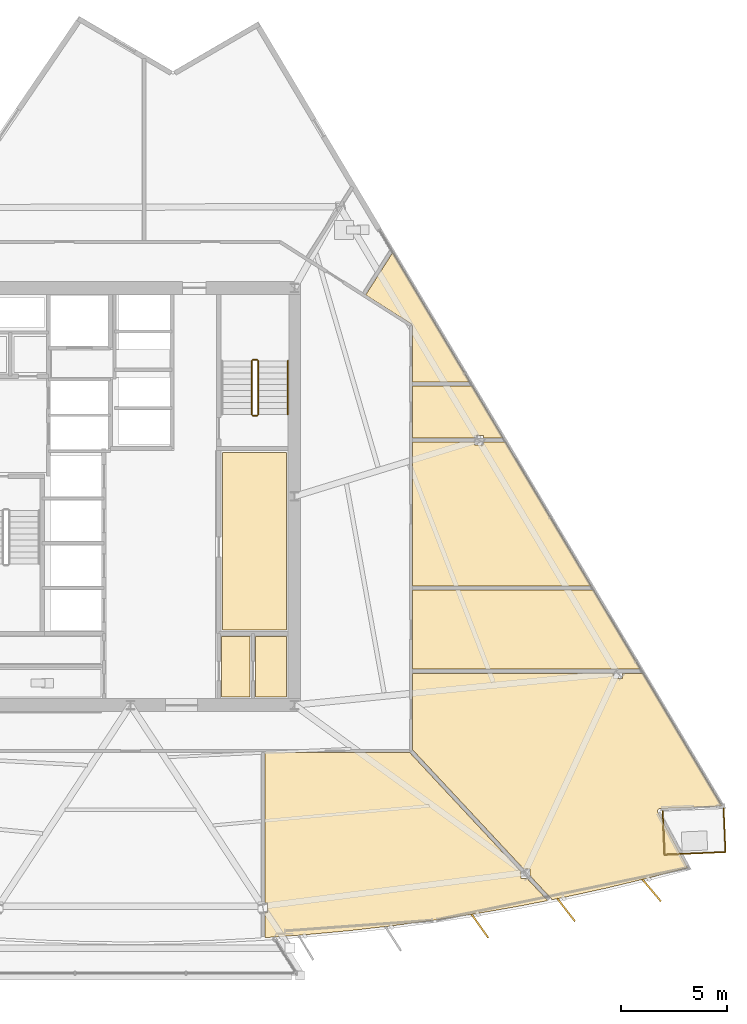
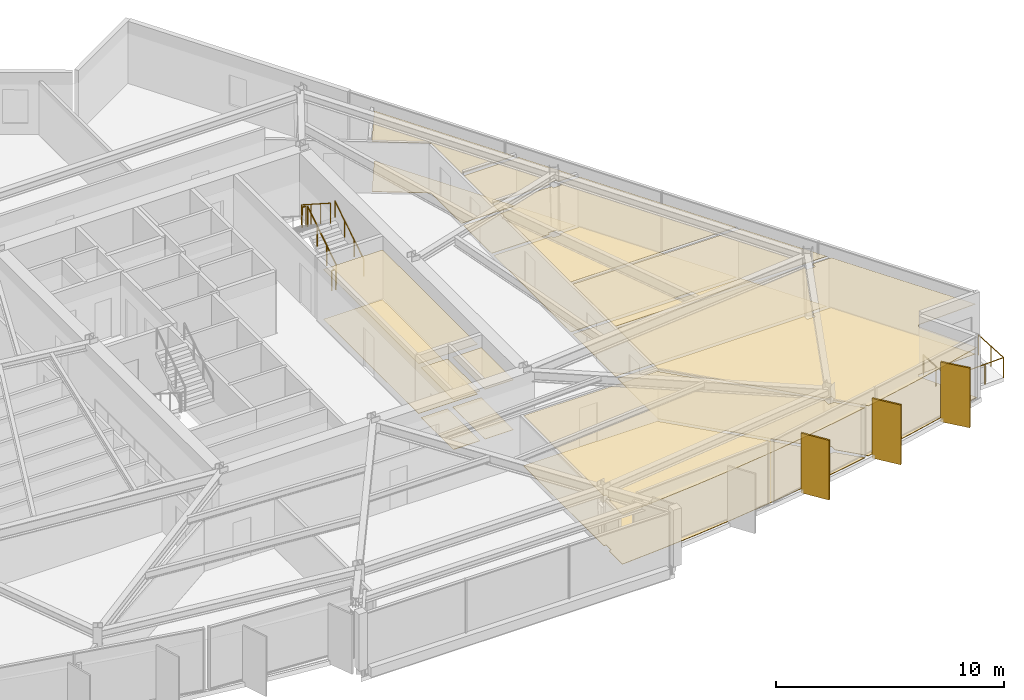
# One storey, part 13 of 15: 18 coverings, 8 railings, 3 shading devices.
"""IFC4 building model written with IfcOpenShell, lengths in metres."""

from ifc_helpers import new_model, si_unit, direction, frame, origin, origin_2d, place, context, subcontext, project, spatial, polyline, rectangle, circle, outline, extrude, material, layer, layer_set, type_object, element, save


model = new_model("IFC4")

# Units and contexts
model_context = context("Model", 3, precision=1e-05, world=origin(), true_north=direction((0.0, 1.0)))
body_context = subcontext(model_context, "Body", "Model", "MODEL_VIEW")
ifc_project = project(units=[si_unit("LENGTHUNIT", "METRE"), si_unit("AREAUNIT", "SQUARE_METRE"), si_unit("VOLUMEUNIT", "CUBIC_METRE"), si_unit("PLANEANGLEUNIT", "RADIAN"), si_unit("MASSUNIT", "GRAM", prefix="KILO")], contexts=[model_context])

# Site, building, storey
site_placement = place(None, origin())
site = spatial("IfcSite", under=ifc_project, at=site_placement, CompositionType="ELEMENT")
building_placement = place(site_placement, origin())
building = spatial("IfcBuilding", under=site, at=building_placement, Name="Savorim Split Tower", CompositionType="ELEMENT")
storey_placement = place(building_placement, frame((0.0, 0.0, 114.89990234375)))
storey = spatial("IfcBuildingStorey", under=building, at=storey_placement, Name="L30", CompositionType="ELEMENT", Elevation=114.89990234375)

# Coverings
ifc_material_1 = material(Name="Mineral Fibre Acoustic Ceiling")
ifc_layer_1 = layer(ifc_material_1, 0.02490234375)
ifc_layer_set_1 = layer_set([ifc_layer_1], Name="COV-CEIL-25")
covering_type_1 = type_object("IfcCoveringType", Name="COV-CEIL-25", PredefinedType="CEILING", material=ifc_layer_set_1)
covering_1_placement = place(storey_placement, frame((0.0, 0.0, 2.670166015625)))
element("IfcCovering", 1, at=covering_1_placement, inside=storey, type_object=covering_type_1, Name="L30 Shared Pantry and Linen Room Acoustic Ceiling", PredefinedType="CEILING", context=body_context, shape_type="SweptSolid", body=[
    extrude(outline(polyline([(4.330078125, 2.469970703125), (4.330078125, -5.8701171875), (7.320068359375, -5.8701171875), (7.320068359375, 2.469970703125), (4.330078125, 2.469970703125)])), origin(), (0.0, 0.0, 1.0), 0.02490234375),
])
covering_2_placement = place(storey_placement, frame((0.0, 0.0, 2.670166015625)))
element("IfcCovering", 2, at=covering_2_placement, inside=storey, type_object=covering_type_1, Name="L30 Vending Pantry Acoustic Ceiling", PredefinedType="CEILING", context=body_context, shape_type="SweptSolid", body=[
    extrude(outline(polyline([(4.280029296875, -6.179931640625), (4.280029296875, -9.02001953125), (5.6201171875, -9.02001953125), (5.6201171875, -6.179931640625), (4.280029296875, -6.179931640625)])), origin(), (0.0, 0.0, 1.0), 0.02490234375),
])
covering_3_placement = place(storey_placement, frame((0.0, 0.0, 2.670166015625)))
element("IfcCovering", 3, at=covering_3_placement, inside=storey, type_object=covering_type_1, Name="L30 Recycling Chute Room Acoustic Ceiling", PredefinedType="CEILING", context=body_context, shape_type="SweptSolid", body=[
    extrude(outline(polyline([(5.8798828125, -6.179931640625), (5.8798828125, -9.02001953125), (7.320068359375, -9.02001953125), (7.320068359375, -6.179931640625), (5.8798828125, -6.179931640625)])), origin(), (0.0, 0.0, 1.0), 0.02490234375),
])
covering_4_placement = place(storey_placement, frame((0.0, 0.0, 2.670166015625)))
element("IfcCovering", 4, at=covering_4_placement, inside=storey, type_object=covering_type_1, Name="L30 Maker Workshop Acoustic Ceiling", PredefinedType="CEILING", context=body_context, shape_type="SweptSolid", body=[
    extrude(outline(polyline([(12.262939453125, -19.77734375), (14.2939453125, -19.505615234375), (16.318603515625, -19.1923828125), (18.336669921875, -18.837890625), (19.60400390625, -18.58837890625), (18.637451171875, -17.5517578125), (18.35107421875, -17.5517578125), (18.35107421875, -17.24462890625), (13.12939453125, -11.6435546875), (13.10693359375, -11.61962890625), (13.10009765625, -11.6201171875), (6.31689453125, -11.6201171875), (6.31689453125, -18.700439453125), (6.434814453125, -18.700439453125), (6.434814453125, -19.136474609375), (6.31689453125, -19.136474609375), (6.31689453125, -20.286865234375), (6.31689453125, -20.330078125), (8.186767578125, -20.196044921875), (10.22705078125, -20.007568359375), (12.262939453125, -19.77734375)])), origin(), (0.0, 0.0, 1.0), 0.02490234375),
])
covering_5_placement = place(storey_placement, frame((0.0, 0.0, 2.670166015625)))
element("IfcCovering", 5, at=covering_5_placement, inside=storey, type_object=covering_type_1, Name="L30 Maker Workshop Acoustic Ceiling", PredefinedType="CEILING", context=body_context, shape_type="SweptSolid", body=[
    extrude(outline(polyline([(24.857421875, -14.2685546875), (24.86865234375, -14.2666015625), (24.880126953125, -14.265380859375), (27.78271484375, -14.141845703125), (24.07568359375, -7.90771484375), (23.122802734375, -7.90771484375), (23.122802734375, -8.155517578125), (22.69677734375, -8.155517578125), (22.69677734375, -7.90771484375), (13.239990234375, -7.90771484375), (13.239990234375, -11.47998046875), (13.23974609375, -11.4833984375), (18.49072265625, -17.11572265625), (18.777099609375, -17.11572265625), (18.777099609375, -17.4228515625), (19.742919921875, -18.458984375), (19.807861328125, -18.5283203125), (19.781005859375, -18.553466796875), (20.34716796875, -18.44189453125), (22.348876953125, -18.005126953125), (24.34130859375, -17.52734375), (26.177490234375, -17.04736328125), (24.779541015625, -14.44189453125), (24.7744140625, -14.431640625), (24.7705078125, -14.4208984375), (24.767578125, -14.40966796875), (24.765869140625, -14.398193359375), (24.76513671875, -14.38671875), (24.765625, -14.375), (24.76708984375, -14.36376953125), (24.769775390625, -14.352294921875), (24.7734375, -14.341552734375), (24.7783203125, -14.3310546875), (24.783935546875, -14.32080078125), (24.79052734375, -14.3115234375), (24.798095703125, -14.302734375), (24.806396484375, -14.294921875), (24.8154296875, -14.28759765625), (24.8251953125, -14.281494140625), (24.83544921875, -14.276123046875), (24.84619140625, -14.271728515625), (24.857421875, -14.2685546875)])), origin(), (0.0, 0.0, 1.0), 0.02490234375),
])
covering_6_placement = place(storey_placement, frame((0.0, 0.0, 2.670166015625)))
element("IfcCovering", 6, at=covering_6_placement, inside=storey, type_object=covering_type_1, Name="L30 Co-Living Bedroom Acoustic Ceiling", PredefinedType="CEILING", context=body_context, shape_type="SweptSolid", body=[
    extrude(outline(polyline([(23.962646484375, -7.7177734375), (21.748779296875, -3.99462890625), (13.239990234375, -3.99462890625), (13.239990234375, -7.7177734375), (23.962646484375, -7.7177734375)])), origin(), (0.0, 0.0, 1.0), 0.02490234375),
])
covering_7_placement = place(storey_placement, frame((0.0, 0.0, 2.670166015625)))
element("IfcCovering", 7, at=covering_7_placement, inside=storey, type_object=covering_type_1, Name="L30 Maker Workshop Acoustic Ceiling", PredefinedType="CEILING", context=body_context, shape_type="SweptSolid", body=[
    extrude(outline(polyline([(16.166748046875, 2.826416015625), (16.166748046875, 2.94921875), (13.239990234375, 2.94921875), (13.239990234375, -3.8046875), (21.635986328125, -3.8046875), (17.60009765625, 2.982421875), (17.60009765625, 2.94921875), (16.5927734375, 2.94921875), (16.5927734375, 2.826416015625), (16.166748046875, 2.826416015625)])), origin(), (0.0, 0.0, 1.0), 0.02490234375),
])
covering_8_placement = place(storey_placement, frame((0.0, 0.0, 2.670166015625)))
element("IfcCovering", 8, at=covering_8_placement, inside=storey, type_object=covering_type_1, Name="L30 Co-Working Commons Acoustic Ceiling", PredefinedType="CEILING", context=body_context, shape_type="SweptSolid", body=[
    extrude(outline(polyline([(16.5927734375, 3.26220703125), (16.5927734375, 3.139404296875), (17.505126953125, 3.139404296875), (17.5068359375, 3.139404296875), (16.044189453125, 5.599365234375), (13.239990234375, 5.599365234375), (13.239990234375, 3.139404296875), (16.166748046875, 3.139404296875), (16.166748046875, 3.26220703125), (16.5927734375, 3.26220703125)])), origin(), (0.0, 0.0, 1.0), 0.02490234375),
])
covering_9_placement = place(storey_placement, frame((0.0, 0.0, 2.670166015625)))
element("IfcCovering", 9, at=covering_9_placement, inside=storey, type_object=covering_type_1, Name="L30 Co-Living Bedroom Acoustic Ceiling", PredefinedType="CEILING", context=body_context, shape_type="SweptSolid", body=[
    extrude(outline(polyline([(13.2373046875, 8.427978515625), (13.2392578125, 8.4140625), (13.239990234375, 8.39990234375), (13.239990234375, 5.789306640625), (15.93115234375, 5.789306640625), (12.32080078125, 11.86083984375), (11.052978515625, 9.867919921875), (13.175048828125, 8.51806640625), (13.1865234375, 8.510009765625), (13.197265625, 8.500732421875), (13.206787109375, 8.490478515625), (13.21533203125, 8.479248046875), (13.22265625, 8.46728515625), (13.22900390625, 8.45458984375), (13.233642578125, 8.44140625), (13.2373046875, 8.427978515625)])), origin(), (0.0, 0.0, 1.0), 0.02490234375),
])
ifc_material_2 = material(Name="Porcelain Stoneware Flooring", Category="masonry")
ifc_layer_2 = layer(ifc_material_2, 0.02001953125)
ifc_layer_set_2 = layer_set([ifc_layer_2], Name="COV-FLOR-20")
covering_type_2 = type_object("IfcCoveringType", Name="COV-FLOR-20", PredefinedType="FLOORING", material=ifc_layer_set_2)
covering_10_placement = place(storey_placement, origin())
element("IfcCovering", 10, at=covering_10_placement, inside=storey, type_object=covering_type_2, Name="L30 Shared Pantry and Linen Room Porcelain Flooring", PredefinedType="FLOORING", context=body_context, shape_type="SweptSolid", body=[
    extrude(outline(polyline([(4.330078125, 2.469970703125), (4.330078125, -5.8701171875), (7.320068359375, -5.8701171875), (7.320068359375, 2.469970703125), (4.330078125, 2.469970703125)])), origin(), (0.0, 0.0, 1.0), 0.02001953125),
])
covering_11_placement = place(storey_placement, origin())
element("IfcCovering", 11, at=covering_11_placement, inside=storey, type_object=covering_type_2, Name="L30 Vending Pantry Porcelain Flooring", PredefinedType="FLOORING", context=body_context, shape_type="SweptSolid", body=[
    extrude(outline(polyline([(4.280029296875, -6.179931640625), (4.280029296875, -9.02001953125), (5.6201171875, -9.02001953125), (5.6201171875, -6.179931640625), (4.280029296875, -6.179931640625)])), origin(), (0.0, 0.0, 1.0), 0.02001953125),
])
covering_12_placement = place(storey_placement, origin())
element("IfcCovering", 12, at=covering_12_placement, inside=storey, type_object=covering_type_2, Name="L30 Recycling Chute Room Porcelain Flooring", PredefinedType="FLOORING", context=body_context, shape_type="SweptSolid", body=[
    extrude(outline(polyline([(5.8798828125, -6.179931640625), (5.8798828125, -9.02001953125), (7.320068359375, -9.02001953125), (7.320068359375, -6.179931640625), (5.8798828125, -6.179931640625)])), origin(), (0.0, 0.0, 1.0), 0.02001953125),
])
covering_13_placement = place(storey_placement, origin())
element("IfcCovering", 13, at=covering_13_placement, inside=storey, type_object=covering_type_2, Name="L30 Maker Workshop Porcelain Flooring", PredefinedType="FLOORING", context=body_context, shape_type="SweptSolid", body=[
    extrude(outline(polyline([(12.262939453125, -19.77734375), (14.2939453125, -19.505615234375), (16.318603515625, -19.1923828125), (18.336669921875, -18.837890625), (19.60400390625, -18.58837890625), (18.637451171875, -17.5517578125), (18.35107421875, -17.5517578125), (18.35107421875, -17.24462890625), (13.12939453125, -11.6435546875), (13.10693359375, -11.61962890625), (13.10009765625, -11.6201171875), (6.31689453125, -11.6201171875), (6.31689453125, -18.700439453125), (6.434814453125, -18.700439453125), (6.434814453125, -19.136474609375), (6.31689453125, -19.136474609375), (6.31689453125, -20.286865234375), (6.31689453125, -20.330078125), (8.186767578125, -20.196044921875), (10.22705078125, -20.007568359375), (12.262939453125, -19.77734375)])), origin(), (0.0, 0.0, 1.0), 0.02001953125),
])
covering_14_placement = place(storey_placement, origin())
element("IfcCovering", 14, at=covering_14_placement, inside=storey, type_object=covering_type_2, Name="L30 Maker Workshop Porcelain Flooring", PredefinedType="FLOORING", context=body_context, shape_type="SweptSolid", body=[
    extrude(outline(polyline([(24.857421875, -14.2685546875), (24.86865234375, -14.2666015625), (24.880126953125, -14.265380859375), (27.78271484375, -14.141845703125), (24.07568359375, -7.90771484375), (23.122802734375, -7.90771484375), (23.122802734375, -8.155517578125), (22.69677734375, -8.155517578125), (22.69677734375, -7.90771484375), (13.239990234375, -7.90771484375), (13.239990234375, -11.47998046875), (13.23974609375, -11.4833984375), (18.49072265625, -17.11572265625), (18.777099609375, -17.11572265625), (18.777099609375, -17.4228515625), (19.742919921875, -18.458984375), (19.807861328125, -18.5283203125), (19.781005859375, -18.553466796875), (20.34716796875, -18.44189453125), (22.348876953125, -18.005126953125), (24.34130859375, -17.52734375), (26.177490234375, -17.04736328125), (24.779541015625, -14.44189453125), (24.7744140625, -14.431640625), (24.7705078125, -14.4208984375), (24.767578125, -14.40966796875), (24.765869140625, -14.398193359375), (24.76513671875, -14.38671875), (24.765625, -14.375), (24.76708984375, -14.36376953125), (24.769775390625, -14.352294921875), (24.7734375, -14.341552734375), (24.7783203125, -14.3310546875), (24.783935546875, -14.32080078125), (24.79052734375, -14.3115234375), (24.798095703125, -14.302734375), (24.806396484375, -14.294921875), (24.8154296875, -14.28759765625), (24.8251953125, -14.281494140625), (24.83544921875, -14.276123046875), (24.84619140625, -14.271728515625), (24.857421875, -14.2685546875)])), origin(), (0.0, 0.0, 1.0), 0.02001953125),
])
covering_15_placement = place(storey_placement, origin())
element("IfcCovering", 15, at=covering_15_placement, inside=storey, type_object=covering_type_2, Name="L30 Co-Living Bedroom Porcelain Flooring", PredefinedType="FLOORING", context=body_context, shape_type="SweptSolid", body=[
    extrude(outline(polyline([(23.962646484375, -7.7177734375), (21.748779296875, -3.99462890625), (13.239990234375, -3.99462890625), (13.239990234375, -7.7177734375), (23.962646484375, -7.7177734375)])), origin(), (0.0, 0.0, 1.0), 0.02001953125),
])
covering_16_placement = place(storey_placement, origin())
element("IfcCovering", 16, at=covering_16_placement, inside=storey, type_object=covering_type_2, Name="L30 Maker Workshop Porcelain Flooring", PredefinedType="FLOORING", context=body_context, shape_type="SweptSolid", body=[
    extrude(outline(polyline([(16.166748046875, 2.826416015625), (16.166748046875, 2.94921875), (13.239990234375, 2.94921875), (13.239990234375, -3.8046875), (21.635986328125, -3.8046875), (17.60009765625, 2.982421875), (17.60009765625, 2.94921875), (16.5927734375, 2.94921875), (16.5927734375, 2.826416015625), (16.166748046875, 2.826416015625)])), origin(), (0.0, 0.0, 1.0), 0.02001953125),
])
covering_17_placement = place(storey_placement, origin())
element("IfcCovering", 17, at=covering_17_placement, inside=storey, type_object=covering_type_2, Name="L30 Co-Working Commons Porcelain Flooring", PredefinedType="FLOORING", context=body_context, shape_type="SweptSolid", body=[
    extrude(outline(polyline([(16.5927734375, 3.26220703125), (16.5927734375, 3.139404296875), (17.505126953125, 3.139404296875), (17.5068359375, 3.139404296875), (16.044189453125, 5.599365234375), (13.239990234375, 5.599365234375), (13.239990234375, 3.139404296875), (16.166748046875, 3.139404296875), (16.166748046875, 3.26220703125), (16.5927734375, 3.26220703125)])), origin(), (0.0, 0.0, 1.0), 0.02001953125),
])
covering_18_placement = place(storey_placement, origin())
element("IfcCovering", 18, at=covering_18_placement, inside=storey, type_object=covering_type_2, Name="L30 Co-Living Bedroom Porcelain Flooring", PredefinedType="FLOORING", context=body_context, shape_type="SweptSolid", body=[
    extrude(outline(polyline([(13.2373046875, 8.427978515625), (13.2392578125, 8.4140625), (13.239990234375, 8.39990234375), (13.239990234375, 5.789306640625), (15.93115234375, 5.789306640625), (12.32080078125, 11.86083984375), (11.052978515625, 9.867919921875), (13.175048828125, 8.51806640625), (13.1865234375, 8.510009765625), (13.197265625, 8.500732421875), (13.206787109375, 8.490478515625), (13.21533203125, 8.479248046875), (13.22265625, 8.46728515625), (13.22900390625, 8.45458984375), (13.233642578125, 8.44140625), (13.2373046875, 8.427978515625)])), origin(), (0.0, 0.0, 1.0), 0.02001953125),
])

# Railings
ifc_material_3 = material(Name="Galvanised Painted Steel Balustrade", Category="steel")
railing_type_1 = type_object("IfcRailingType", Name="RLG-BAL-1100", PredefinedType="BALUSTRADE", material=ifc_material_3)
railing_1_placement = place(storey_placement, frame((27.86865234375, -14.25830078125, 0.0)))
element("IfcRailing", 19, at=railing_1_placement, inside=storey, type_object=railing_type_1, Name="L30 Tree Balcony Guardrail SE-1", PredefinedType="BALUSTRADE", context=body_context, shape_type="SweptSolid", body=[
    extrude(circle(Radius=0.02392578125, at=origin_2d()), frame((0.0, 0.0, 1.076171875), z_axis=(0.042517246, -0.999095733047, 0.0), x_axis=(0.999095733047, 0.042517246, 0.0)), (0.0, 0.0, 1.0), 2.050048828125),
    extrude(circle(Radius=0.02099609375, at=origin_2d()), origin(), (0.0, 0.0, 1.0), 1.052001953125),
    extrude(circle(Radius=0.02099609375, at=origin_2d()), frame((0.04345703125, -1.02392578125, 0.0)), (0.0, 0.0, 1.0), 1.052001953125),
    extrude(circle(Radius=0.02099609375, at=origin_2d()), frame((0.087158203125, -2.048095703125, 0.0)), (0.0, 0.0, 1.0), 1.052001953125),
])
railing_2_placement = place(storey_placement, frame((27.955810546875, -16.306396484375, 0.0)))
element("IfcRailing", 20, at=railing_2_placement, inside=storey, type_object=railing_type_1, Name="L30 Tree Balcony Guardrail SE-2", PredefinedType="BALUSTRADE", context=body_context, shape_type="SweptSolid", body=[
    extrude(circle(Radius=0.02392578125, at=origin_2d()), frame((0.0, 0.0, 1.076171875), z_axis=(-0.999096225557, -0.042505671119, 0.0), x_axis=(0.042505671119, -0.999096225557, 0.0)), (0.0, 0.0, 1.0), 2.8662109375),
    extrude(circle(Radius=0.02099609375, at=origin_2d()), origin(), (0.0, 0.0, 1.0), 1.052001953125),
    extrude(circle(Radius=0.02099609375, at=origin_2d()), frame((-0.95458984375, -0.04052734375, 0.0)), (0.0, 0.0, 1.0), 1.052001953125),
    extrude(circle(Radius=0.02099609375, at=origin_2d()), frame((-1.908935546875, -0.081298828125, 0.0)), (0.0, 0.0, 1.0), 1.052001953125),
    extrude(circle(Radius=0.02099609375, at=origin_2d()), frame((-2.863525390625, -0.121826171875, 0.0)), (0.0, 0.0, 1.0), 1.052001953125),
])
railing_3_placement = place(storey_placement, frame((25.09228515625, -16.42822265625, 0.0)))
element("IfcRailing", 21, at=railing_3_placement, inside=storey, type_object=railing_type_1, Name="L30 Tree Balcony Guardrail SE-3", PredefinedType="BALUSTRADE", context=body_context, shape_type="SweptSolid", body=[
    extrude(circle(Radius=0.02392578125, at=origin_2d()), frame((0.0, 0.0, 1.076171875), z_axis=(-0.042517246, 0.999095733047, 0.0), x_axis=(-0.999095733047, -0.042517246, 0.0)), (0.0, 0.0, 1.0), 2.050048828125),
    extrude(circle(Radius=0.02099609375, at=origin_2d()), origin(), (0.0, 0.0, 1.0), 1.052001953125),
    extrude(circle(Radius=0.02099609375, at=origin_2d()), frame((-0.04345703125, 1.02392578125, 0.0)), (0.0, 0.0, 1.0), 1.052001953125),
    extrude(circle(Radius=0.02099609375, at=origin_2d()), frame((-0.087158203125, 2.048095703125, 0.0)), (0.0, 0.0, 1.0), 1.052001953125),
])
railing_type_2 = type_object("IfcRailingType", Name="RLG-HR-900", PredefinedType="HANDRAIL", material=ifc_material_3)
railing_4_placement = place(storey_placement, frame((7.39990234375, 4.25, 0.18017578125)))
element("IfcRailing", 22, at=railing_4_placement, inside=storey, type_object=railing_type_2, Name="L30 ST-2 stair handrail 1", PredefinedType="HANDRAIL", context=body_context, shape_type="SweptSolid", body=[
    extrude(circle(Radius=0.02392578125, at=origin_2d()), frame((0.0, 0.0, 0.8759765625), z_axis=(0.0, 0.841199657755, 0.540724639528), x_axis=(-1.0, 0.0, 0.0)), (0.0, 0.0, 1.0), 2.995849609375),
    extrude(circle(Radius=0.02099609375, at=origin_2d()), origin(), (0.0, 0.0, 1.0), 0.851806640625),
    extrude(circle(Radius=0.02099609375, at=origin_2d()), frame((0.0, 0.840087890625, 0.5400390625)), (0.0, 0.0, 1.0), 0.851806640625),
    extrude(circle(Radius=0.02099609375, at=origin_2d()), frame((0.0, 1.679931640625, 1.079833984375)), (0.0, 0.0, 1.0), 0.851806640625),
    extrude(circle(Radius=0.02099609375, at=origin_2d()), frame((0.0, 2.52001953125, 1.619873046875)), (0.0, 0.0, 1.0), 0.851806640625),
])
railing_type_3 = type_object("IfcRailingType", Name="RLG-STG-1100", PredefinedType="BALUSTRADE", material=ifc_material_3)
railing_5_placement = place(storey_placement, frame((6.0, 4.25, 0.18017578125)))
element("IfcRailing", 23, at=railing_5_placement, inside=storey, type_object=railing_type_3, Name="L30 ST-2 stair guard 1", PredefinedType="BALUSTRADE", context=body_context, shape_type="SweptSolid", body=[
    extrude(circle(Radius=0.02392578125, at=origin_2d()), frame((0.0, 0.0, 1.076171875), z_axis=(0.0, 0.841199657755, 0.540724639528), x_axis=(-1.0, 0.0, 0.0)), (0.0, 0.0, 1.0), 2.995849609375),
    extrude(circle(Radius=0.02099609375, at=origin_2d()), origin(), (0.0, 0.0, 1.0), 1.052001953125),
    extrude(circle(Radius=0.02099609375, at=origin_2d()), frame((0.0, 0.840087890625, 0.5400390625)), (0.0, 0.0, 1.0), 1.052001953125),
    extrude(circle(Radius=0.02099609375, at=origin_2d()), frame((0.0, 1.679931640625, 1.079833984375)), (0.0, 0.0, 1.0), 1.052001953125),
    extrude(circle(Radius=0.02099609375, at=origin_2d()), frame((0.0, 2.52001953125, 1.619873046875)), (0.0, 0.0, 1.0), 1.052001953125),
])
railing_6_placement = place(storey_placement, frame((5.949951171875, 6.820068359375, 1.800048828125)))
element("IfcRailing", 24, at=railing_6_placement, inside=storey, type_object=railing_type_3, Name="L30 ST-2 stair guard 2", PredefinedType="BALUSTRADE", context=body_context, shape_type="SweptSolid", body=[
    extrude(circle(Radius=0.02392578125, at=origin_2d()), frame((0.0, 0.0, 1.076171875), z_axis=(-1.0, 0.0, 0.0), x_axis=(0.0, -1.0, 0.0)), (0.0, 0.0, 1.0), 0.199951171875),
    extrude(circle(Radius=0.02099609375, at=origin_2d()), origin(), (0.0, 0.0, 1.0), 1.052001953125),
    extrude(circle(Radius=0.02099609375, at=origin_2d()), frame((-0.199951171875, 0.0, 0.0)), (0.0, 0.0, 1.0), 1.052001953125),
])
railing_7_placement = place(storey_placement, frame((5.699951171875, 6.77001953125, 1.97998046875)))
element("IfcRailing", 25, at=railing_7_placement, inside=storey, type_object=railing_type_3, Name="L30 ST-2 stair guard 3", PredefinedType="BALUSTRADE", context=body_context, shape_type="SweptSolid", body=[
    extrude(circle(Radius=0.02392578125, at=origin_2d()), frame((0.0, 0.0, 1.076171875), z_axis=(0.0, -0.841162588446, 0.540782303519), x_axis=(1.0, 0.0, 0.0)), (0.0, 0.0, 1.0), 2.995849609375),
    extrude(circle(Radius=0.02099609375, at=origin_2d()), origin(), (0.0, 0.0, 1.0), 1.052001953125),
    extrude(circle(Radius=0.02099609375, at=origin_2d()), frame((0.0, -0.840087890625, 0.5400390625)), (0.0, 0.0, 1.0), 1.052001953125),
    extrude(circle(Radius=0.02099609375, at=origin_2d()), frame((0.0, -1.679931640625, 1.080078125)), (0.0, 0.0, 1.0), 1.052001953125),
    extrude(circle(Radius=0.02099609375, at=origin_2d()), frame((0.0, -2.52001953125, 1.6201171875)), (0.0, 0.0, 1.0), 1.052001953125),
])
railing_8_placement = place(storey_placement, frame((5.949951171875, 4.199951171875, 0.0)))
element("IfcRailing", 26, at=railing_8_placement, inside=storey, type_object=railing_type_3, Name="L30 ST-2 stair guard 4", PredefinedType="BALUSTRADE", context=body_context, shape_type="SweptSolid", body=[
    extrude(circle(Radius=0.02392578125, at=origin_2d()), frame((0.0, 0.0, 1.076171875), z_axis=(-1.0, 0.0, 0.0), x_axis=(0.0, -1.0, 0.0)), (0.0, 0.0, 1.0), 0.199951171875),
    extrude(circle(Radius=0.02099609375, at=origin_2d()), origin(), (0.0, 0.0, 1.0), 1.052001953125),
    extrude(circle(Radius=0.02099609375, at=origin_2d()), frame((-0.199951171875, 0.0, 0.0)), (0.0, 0.0, 1.0), 1.052001953125),
])

# Shading devices
ifc_material_4 = material(Name="Terracotta Ceramic-Coated Aluminium Fin", Category="masonry")
shading_device_type = type_object("IfcShadingDeviceType", Name="SHD-FIN-1360", PredefinedType="USERDEFINED", material=ifc_material_4)
for number, where, z_axis, x_axis, name in (
    (27, (16.415771484375, -19.780517578125, -0.19970703125), (0.0, 0.0, 1.0), (0.578993757737, -0.815331974414, 0.0), "L30 Sawtooth Shading Fin 11"),
    (28, (20.46826171875, -19.025634765625, -0.19970703125), (0.0, 0.0, 1.0), (0.611868076908, -0.790959832394, 0.0), "L30 Sawtooth Shading Fin 12"),
    (29, (24.486328125, -18.105712890625, -0.19970703125), (0.0, 0.0, 1.0), (0.643719022682, -0.765261928909, 0.0), "L30 Sawtooth Shading Fin 13"),
):
    element("IfcShadingDevice", number, at=place(storey_placement, frame(where, z_axis=z_axis, x_axis=x_axis)), inside=storey, type_object=shading_device_type, Name=name, ObjectType="FIN", PredefinedType="USERDEFINED", context=body_context, shape_type="SweptSolid", body=[
        extrude(rectangle(XDim=1.360107421875, YDim=0.080078125, at=origin_2d()), origin(), (0.0, 0.0, 1.0), 3.199951171875),
    ])

save(model, "model.ifc")
